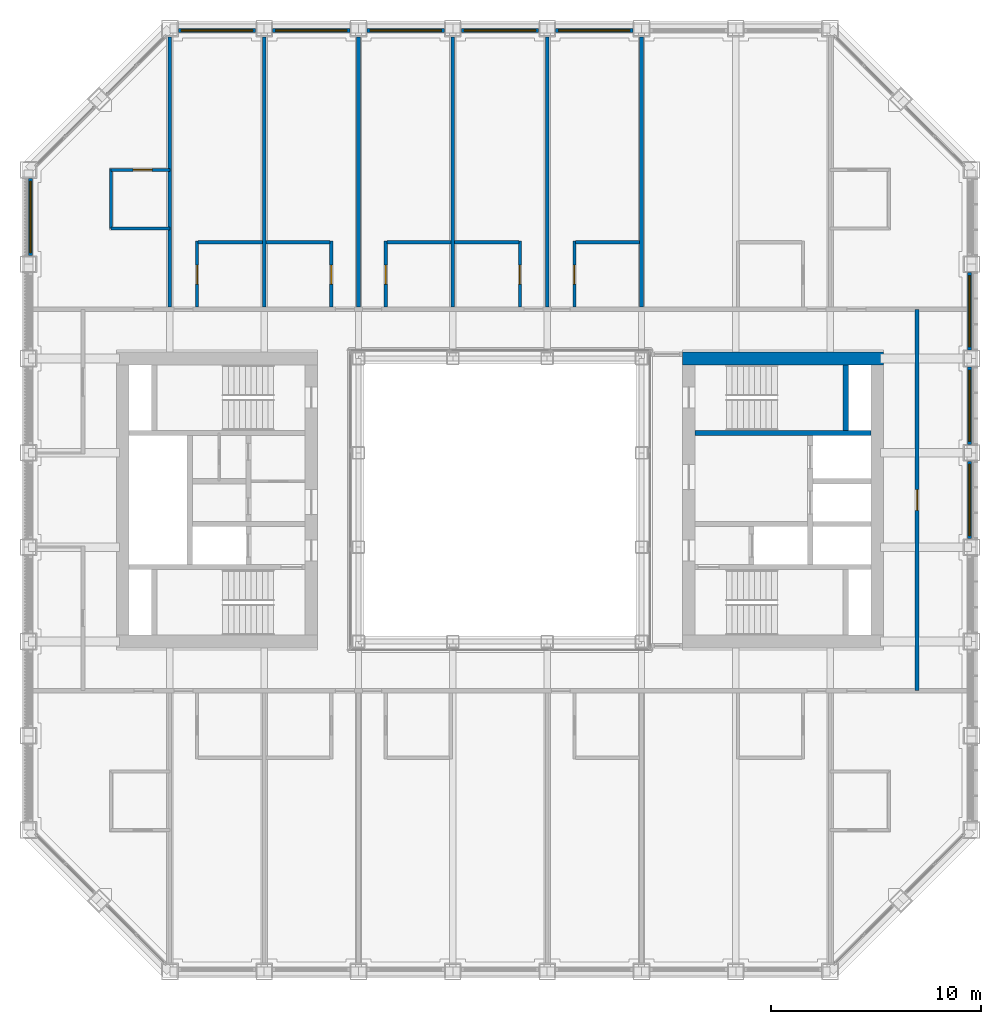
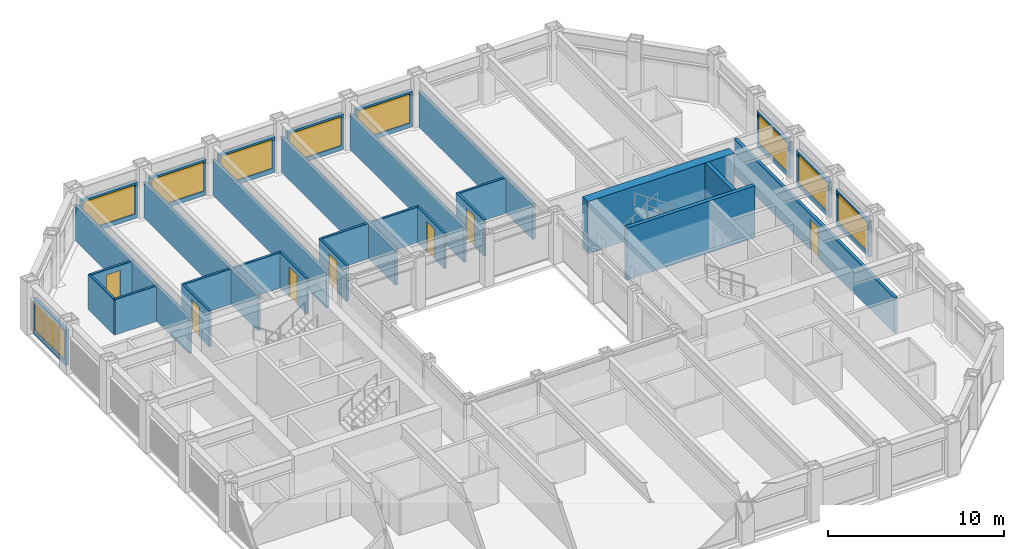
# One storey, part 13 of 17: 32 walls, 9 windows, 7 doors, 16 openings.
"""IFC4 building model written with IfcOpenShell, lengths in metres."""

from ifc_helpers import new_model, si_unit, direction, frame, frame_2d, origin, place, context, subcontext, project, spatial, rectangle, extrude, material, layer, layer_set, type_object, element, fill, save


model = new_model("IFC4")

# Units and contexts
model_context = context("Model", 3, precision=1e-05, world=origin(), true_north=direction((0.0, 1.0)))
body_context = subcontext(model_context, "Body", "Model", "MODEL_VIEW")
ifc_project = project(units=[si_unit("LENGTHUNIT", "METRE"), si_unit("AREAUNIT", "SQUARE_METRE"), si_unit("VOLUMEUNIT", "CUBIC_METRE"), si_unit("PLANEANGLEUNIT", "RADIAN"), si_unit("MASSUNIT", "GRAM", prefix="KILO")], contexts=[model_context])

# Site, building, storey
site_placement = place(None, origin())
site = spatial("IfcSite", under=ifc_project, at=site_placement, CompositionType="ELEMENT")
building_placement = place(site_placement, origin())
building = spatial("IfcBuilding", under=site, at=building_placement, Name="Msasa Ring Tower", CompositionType="ELEMENT")
storey_placement = place(building_placement, frame((0.0, 0.0, 143.60009765625)))
storey = spatial("IfcBuildingStorey", under=building, at=storey_placement, Name="L37", CompositionType="ELEMENT", Elevation=143.60009765625)

# Walls
ifc_material_1 = material(Name="Concrete C60/75", Category="concrete")
ifc_layer_1 = layer(ifc_material_1, 0.60009765625)
ifc_layer_set_1 = layer_set([ifc_layer_1], Name="CW2 CORE WALL 600")
wall_type_1 = type_object("IfcWallType", Name="CW2 CORE WALL 600", PredefinedType="SHEAR", material=ifc_layer_set_1)
wall_1_placement = place(storey_placement, frame((8.699951171875, 6.75, 0.0), z_axis=(0.0, 0.0, 1.0), x_axis=(1.0, 0.0, 0.0)))
element("IfcWall", 1, at=wall_1_placement, inside=storey, type_object=wall_type_1, Name="E core wall N L37", PredefinedType="SHEAR", context=body_context, shape_type="SweptSolid", body=[
    extrude(rectangle(XDim=9.60009765625, YDim=0.60009765625, at=frame_2d((4.800048828125, 0.0))), origin(), (0.0, 0.0, 1.0), 3.599853515625),
])
ifc_material_2 = material(Name="Concrete C60/75", Category="concrete")
ifc_layer_2 = layer(ifc_material_2, 0.25)
ifc_layer_set_2 = layer_set([ifc_layer_2], Name="CW4 CORE INNER WALL 250")
wall_type_2 = type_object("IfcWallType", Name="CW4 CORE INNER WALL 250", PredefinedType="SHEAR", material=ifc_layer_set_2)
wall_2_placement = place(storey_placement, frame((9.300048828125, 3.199951171875, 0.0), z_axis=(0.0, 0.0, 1.0), x_axis=(1.0, 0.0, 0.0)))
element("IfcWall", 2, at=wall_2_placement, inside=storey, type_object=wall_type_2, Name="E core wall STAIRB L37", PredefinedType="SHEAR", context=body_context, shape_type="SweptSolid", body=[
    extrude(rectangle(XDim=8.39990234375, YDim=0.25, at=frame_2d((4.199951171875, 0.0))), origin(), (0.0, 0.0, 1.0), 3.599853515625),
])
wall_3_placement = place(storey_placement, frame((16.5, 3.324951171875, 0.0), z_axis=(0.0, 0.0, 1.0), x_axis=(0.0, 1.0, 0.0)))
element("IfcWall", 3, at=wall_3_placement, inside=storey, type_object=wall_type_2, Name="E core wall RISERB L37", PredefinedType="SHEAR", context=body_context, shape_type="SweptSolid", body=[
    extrude(rectangle(XDim=3.125, YDim=0.25, at=frame_2d((1.5625, 0.0))), origin(), (0.0, 0.0, 1.0), 3.599853515625),
])

# Wall, opening, window
ifc_material_3 = material(Name="Terracotta rainscreen on blockwork", Category="masonry")
ifc_layer_3 = layer(ifc_material_3, 0.199951171875)
ifc_layer_set_3 = layer_set([ifc_layer_3], Name="FW1 TERRACOTTA-LINED INFILL BAY WALL 200")
wall_type_3 = type_object("IfcWallType", Name="FW1 TERRACOTTA-LINED INFILL BAY WALL 200", PredefinedType="SOLIDWALL", material=ifc_layer_set_3)
wall_4_placement = place(storey_placement, frame((22.39990234375, -1.844970703125, 0.0), z_axis=(0.0, 0.0, 1.0), x_axis=(0.0, 1.0, 0.0)))
wall_4 = element("IfcWall", 4, at=wall_4_placement, inside=storey, type_object=wall_type_3, Name="Infill bay wall E L37 12", PredefinedType="SOLIDWALL", context=body_context, shape_type="SweptSolid", body=[
    extrude(rectangle(XDim=3.68994140625, YDim=0.199951171875, at=frame_2d((1.844970703125, 0.0))), origin(), (0.0, 0.0, 1.0), 2.47900390625),
])
opening_1_placement = place(wall_4_placement, frame((0.14501953125, 0.0, 0.300048828125)))
opening_1 = element("IfcOpeningElement", 5, at=opening_1_placement, cuts=wall_4, Name="Opening WN2", PredefinedType="OPENING", context=body_context, shape_type="SweptSolid", body=[
    extrude(rectangle(XDim=3.39990234375, YDim=2.029052734375, at=frame_2d((1.699951171875, 1.0146484375))), frame((0.0, 0.10986328125, 0.0), z_axis=(0.0, -1.0, 0.0), x_axis=(1.0, 0.0, 0.0)), (0.0, 0.0, 1.0), 0.219970703125),
])
ifc_material_4 = material(Name="Aluminium frame with clear glass", Category="aluminium")
window_type = type_object("IfcWindowType", Name="WN2 GUEST ROOM WINDOW 3400x2029", PartitioningType="SINGLE_PANEL", PredefinedType="WINDOW", material=ifc_material_4)
window_1_placement = place(opening_1_placement, origin())
window_1 = element("IfcWindow", 6, at=window_1_placement, inside=storey, type_object=window_type, Name="Window E L37 12", OverallHeight=2.029052734375, OverallWidth=3.39990234375, PartitioningType="SINGLE_PANEL", PredefinedType="WINDOW", context=body_context, shape_type="SweptSolid", body=[
    extrude(rectangle(XDim=3.39990234375, YDim=2.029052734375, at=frame_2d((1.699951171875, 1.0146484375))), frame((0.0, 0.030029296875, 0.0), z_axis=(0.0, -1.0, 0.0), x_axis=(1.0, 0.0, 0.0)), (0.0, 0.0, 1.0), 0.06005859375),
])
fill(opening_1, window_1)

wall_5_placement = place(storey_placement, frame((22.39990234375, 2.655029296875, 0.0), z_axis=(0.0, 0.0, 1.0), x_axis=(0.0, 1.0, 0.0)))
wall_5 = element("IfcWall", 7, at=wall_5_placement, inside=storey, type_object=wall_type_3, Name="Infill bay wall E L37 13", PredefinedType="SOLIDWALL", context=body_context, shape_type="SweptSolid", body=[
    extrude(rectangle(XDim=3.68994140625, YDim=0.199951171875, at=frame_2d((1.844970703125, 0.0))), origin(), (0.0, 0.0, 1.0), 2.47900390625),
])
opening_2_placement = place(wall_5_placement, frame((0.14501953125, 0.0, 0.300048828125)))
opening_2 = element("IfcOpeningElement", 8, at=opening_2_placement, cuts=wall_5, Name="Opening WN2", PredefinedType="OPENING", context=body_context, shape_type="SweptSolid", body=[
    extrude(rectangle(XDim=3.39990234375, YDim=2.029052734375, at=frame_2d((1.699951171875, 1.0146484375))), frame((0.0, 0.10986328125, 0.0), z_axis=(0.0, -1.0, 0.0), x_axis=(1.0, 0.0, 0.0)), (0.0, 0.0, 1.0), 0.219970703125),
])
window_2_placement = place(opening_2_placement, origin())
window_2 = element("IfcWindow", 9, at=window_2_placement, inside=storey, type_object=window_type, Name="Window E L37 13", OverallHeight=2.029052734375, OverallWidth=3.39990234375, PartitioningType="SINGLE_PANEL", PredefinedType="WINDOW", context=body_context, shape_type="SweptSolid", body=[
    extrude(rectangle(XDim=3.39990234375, YDim=2.029052734375, at=frame_2d((1.699951171875, 1.0146484375))), frame((0.0, 0.030029296875, 0.0), z_axis=(0.0, -1.0, 0.0), x_axis=(1.0, 0.0, 0.0)), (0.0, 0.0, 1.0), 0.06005859375),
])
fill(opening_2, window_2)

wall_6_placement = place(storey_placement, frame((22.39990234375, 7.155029296875, 0.0), z_axis=(0.0, 0.0, 1.0), x_axis=(0.0, 1.0, 0.0)))
wall_6 = element("IfcWall", 10, at=wall_6_placement, inside=storey, type_object=wall_type_3, Name="Infill bay wall E L37 14", PredefinedType="SOLIDWALL", context=body_context, shape_type="SweptSolid", body=[
    extrude(rectangle(XDim=3.68994140625, YDim=0.199951171875, at=frame_2d((1.844970703125, 0.0))), origin(), (0.0, 0.0, 1.0), 2.47900390625),
])
opening_3_placement = place(wall_6_placement, frame((0.14501953125, 0.0, 0.300048828125)))
opening_3 = element("IfcOpeningElement", 11, at=opening_3_placement, cuts=wall_6, Name="Opening WN2", PredefinedType="OPENING", context=body_context, shape_type="SweptSolid", body=[
    extrude(rectangle(XDim=3.39990234375, YDim=2.029052734375, at=frame_2d((1.699951171875, 1.0146484375))), frame((0.0, 0.10986328125, 0.0), z_axis=(0.0, -1.0, 0.0), x_axis=(1.0, 0.0, 0.0)), (0.0, 0.0, 1.0), 0.219970703125),
])
window_3_placement = place(opening_3_placement, origin())
window_3 = element("IfcWindow", 12, at=window_3_placement, inside=storey, type_object=window_type, Name="Window E L37 14", OverallHeight=2.029052734375, OverallWidth=3.39990234375, PartitioningType="SINGLE_PANEL", PredefinedType="WINDOW", context=body_context, shape_type="SweptSolid", body=[
    extrude(rectangle(XDim=3.39990234375, YDim=2.029052734375, at=frame_2d((1.699951171875, 1.0146484375))), frame((0.0, 0.030029296875, 0.0), z_axis=(0.0, -1.0, 0.0), x_axis=(1.0, 0.0, 0.0)), (0.0, 0.0, 1.0), 0.06005859375),
])
fill(opening_3, window_3)

wall_7_placement = place(storey_placement, frame((-15.344970703125, 22.39990234375, 0.0), z_axis=(0.0, 0.0, 1.0), x_axis=(1.0, 0.0, 0.0)))
wall_7 = element("IfcWall", 13, at=wall_7_placement, inside=storey, type_object=wall_type_3, Name="Infill bay wall N L37 18", PredefinedType="SOLIDWALL", context=body_context, shape_type="SweptSolid", body=[
    extrude(rectangle(XDim=3.68994140625, YDim=0.199951171875, at=frame_2d((1.844970703125, 0.0))), origin(), (0.0, 0.0, 1.0), 2.47900390625),
])
opening_4_placement = place(wall_7_placement, frame((0.14501953125, 0.0, 0.300048828125)))
opening_4 = element("IfcOpeningElement", 14, at=opening_4_placement, cuts=wall_7, Name="Opening WN2", PredefinedType="OPENING", context=body_context, shape_type="SweptSolid", body=[
    extrude(rectangle(XDim=3.39990234375, YDim=2.029052734375, at=frame_2d((1.699951171875, 1.0146484375))), frame((0.0, 0.10986328125, 0.0), z_axis=(0.0, -1.0, 0.0), x_axis=(1.0, 0.0, 0.0)), (0.0, 0.0, 1.0), 0.219970703125),
])
window_4_placement = place(opening_4_placement, origin())
window_4 = element("IfcWindow", 15, at=window_4_placement, inside=storey, type_object=window_type, Name="Window N L37 18", OverallHeight=2.029052734375, OverallWidth=3.39990234375, PartitioningType="SINGLE_PANEL", PredefinedType="WINDOW", context=body_context, shape_type="SweptSolid", body=[
    extrude(rectangle(XDim=3.39990234375, YDim=2.029052734375, at=frame_2d((1.699951171875, 1.0146484375))), frame((0.0, 0.030029296875, 0.0), z_axis=(0.0, -1.0, 0.0), x_axis=(1.0, 0.0, 0.0)), (0.0, 0.0, 1.0), 0.06005859375),
])
fill(opening_4, window_4)

wall_8_placement = place(storey_placement, frame((-10.844970703125, 22.39990234375, 0.0), z_axis=(0.0, 0.0, 1.0), x_axis=(1.0, 0.0, 0.0)))
wall_8 = element("IfcWall", 16, at=wall_8_placement, inside=storey, type_object=wall_type_3, Name="Infill bay wall N L37 19", PredefinedType="SOLIDWALL", context=body_context, shape_type="SweptSolid", body=[
    extrude(rectangle(XDim=3.68994140625, YDim=0.199951171875, at=frame_2d((1.844970703125, 0.0))), origin(), (0.0, 0.0, 1.0), 2.47900390625),
])
opening_5_placement = place(wall_8_placement, frame((0.14501953125, 0.0, 0.300048828125)))
opening_5 = element("IfcOpeningElement", 17, at=opening_5_placement, cuts=wall_8, Name="Opening WN2", PredefinedType="OPENING", context=body_context, shape_type="SweptSolid", body=[
    extrude(rectangle(XDim=3.39990234375, YDim=2.029052734375, at=frame_2d((1.699951171875, 1.0146484375))), frame((0.0, 0.10986328125, 0.0), z_axis=(0.0, -1.0, 0.0), x_axis=(1.0, 0.0, 0.0)), (0.0, 0.0, 1.0), 0.219970703125),
])
window_5_placement = place(opening_5_placement, origin())
window_5 = element("IfcWindow", 18, at=window_5_placement, inside=storey, type_object=window_type, Name="Window N L37 19", OverallHeight=2.029052734375, OverallWidth=3.39990234375, PartitioningType="SINGLE_PANEL", PredefinedType="WINDOW", context=body_context, shape_type="SweptSolid", body=[
    extrude(rectangle(XDim=3.39990234375, YDim=2.029052734375, at=frame_2d((1.699951171875, 1.0146484375))), frame((0.0, 0.030029296875, 0.0), z_axis=(0.0, -1.0, 0.0), x_axis=(1.0, 0.0, 0.0)), (0.0, 0.0, 1.0), 0.06005859375),
])
fill(opening_5, window_5)

wall_9_placement = place(storey_placement, frame((-6.344970703125, 22.39990234375, 0.0), z_axis=(0.0, 0.0, 1.0), x_axis=(1.0, 0.0, 0.0)))
wall_9 = element("IfcWall", 19, at=wall_9_placement, inside=storey, type_object=wall_type_3, Name="Infill bay wall N L37 20", PredefinedType="SOLIDWALL", context=body_context, shape_type="SweptSolid", body=[
    extrude(rectangle(XDim=3.68994140625, YDim=0.199951171875, at=frame_2d((1.844970703125, 0.0))), origin(), (0.0, 0.0, 1.0), 2.47900390625),
])
opening_6_placement = place(wall_9_placement, frame((0.14501953125, 0.0, 0.300048828125)))
opening_6 = element("IfcOpeningElement", 20, at=opening_6_placement, cuts=wall_9, Name="Opening WN2", PredefinedType="OPENING", context=body_context, shape_type="SweptSolid", body=[
    extrude(rectangle(XDim=3.39990234375, YDim=2.029052734375, at=frame_2d((1.699951171875, 1.0146484375))), frame((0.0, 0.10986328125, 0.0), z_axis=(0.0, -1.0, 0.0), x_axis=(1.0, 0.0, 0.0)), (0.0, 0.0, 1.0), 0.219970703125),
])
window_6_placement = place(opening_6_placement, origin())
window_6 = element("IfcWindow", 21, at=window_6_placement, inside=storey, type_object=window_type, Name="Window N L37 20", OverallHeight=2.029052734375, OverallWidth=3.39990234375, PartitioningType="SINGLE_PANEL", PredefinedType="WINDOW", context=body_context, shape_type="SweptSolid", body=[
    extrude(rectangle(XDim=3.39990234375, YDim=2.029052734375, at=frame_2d((1.699951171875, 1.0146484375))), frame((0.0, 0.030029296875, 0.0), z_axis=(0.0, -1.0, 0.0), x_axis=(1.0, 0.0, 0.0)), (0.0, 0.0, 1.0), 0.06005859375),
])
fill(opening_6, window_6)

wall_10_placement = place(storey_placement, frame((-1.844970703125, 22.39990234375, 0.0), z_axis=(0.0, 0.0, 1.0), x_axis=(1.0, 0.0, 0.0)))
wall_10 = element("IfcWall", 22, at=wall_10_placement, inside=storey, type_object=wall_type_3, Name="Infill bay wall N L37 21", PredefinedType="SOLIDWALL", context=body_context, shape_type="SweptSolid", body=[
    extrude(rectangle(XDim=3.68994140625, YDim=0.199951171875, at=frame_2d((1.844970703125, 0.0))), origin(), (0.0, 0.0, 1.0), 2.47900390625),
])
opening_7_placement = place(wall_10_placement, frame((0.14501953125, 0.0, 0.300048828125)))
opening_7 = element("IfcOpeningElement", 23, at=opening_7_placement, cuts=wall_10, Name="Opening WN2", PredefinedType="OPENING", context=body_context, shape_type="SweptSolid", body=[
    extrude(rectangle(XDim=3.39990234375, YDim=2.029052734375, at=frame_2d((1.699951171875, 1.0146484375))), frame((0.0, 0.10986328125, 0.0), z_axis=(0.0, -1.0, 0.0), x_axis=(1.0, 0.0, 0.0)), (0.0, 0.0, 1.0), 0.219970703125),
])
window_7_placement = place(opening_7_placement, origin())
window_7 = element("IfcWindow", 24, at=window_7_placement, inside=storey, type_object=window_type, Name="Window N L37 21", OverallHeight=2.029052734375, OverallWidth=3.39990234375, PartitioningType="SINGLE_PANEL", PredefinedType="WINDOW", context=body_context, shape_type="SweptSolid", body=[
    extrude(rectangle(XDim=3.39990234375, YDim=2.029052734375, at=frame_2d((1.699951171875, 1.0146484375))), frame((0.0, 0.030029296875, 0.0), z_axis=(0.0, -1.0, 0.0), x_axis=(1.0, 0.0, 0.0)), (0.0, 0.0, 1.0), 0.06005859375),
])
fill(opening_7, window_7)

wall_11_placement = place(storey_placement, frame((2.655029296875, 22.39990234375, 0.0), z_axis=(0.0, 0.0, 1.0), x_axis=(1.0, 0.0, 0.0)))
wall_11 = element("IfcWall", 25, at=wall_11_placement, inside=storey, type_object=wall_type_3, Name="Infill bay wall N L37 22", PredefinedType="SOLIDWALL", context=body_context, shape_type="SweptSolid", body=[
    extrude(rectangle(XDim=3.68994140625, YDim=0.199951171875, at=frame_2d((1.844970703125, 0.0))), origin(), (0.0, 0.0, 1.0), 2.47900390625),
])
opening_8_placement = place(wall_11_placement, frame((0.14501953125, 0.0, 0.300048828125)))
opening_8 = element("IfcOpeningElement", 26, at=opening_8_placement, cuts=wall_11, Name="Opening WN2", PredefinedType="OPENING", context=body_context, shape_type="SweptSolid", body=[
    extrude(rectangle(XDim=3.39990234375, YDim=2.029052734375, at=frame_2d((1.699951171875, 1.0146484375))), frame((0.0, 0.10986328125, 0.0), z_axis=(0.0, -1.0, 0.0), x_axis=(1.0, 0.0, 0.0)), (0.0, 0.0, 1.0), 0.219970703125),
])
window_8_placement = place(opening_8_placement, origin())
window_8 = element("IfcWindow", 27, at=window_8_placement, inside=storey, type_object=window_type, Name="Window N L37 22", OverallHeight=2.029052734375, OverallWidth=3.39990234375, PartitioningType="SINGLE_PANEL", PredefinedType="WINDOW", context=body_context, shape_type="SweptSolid", body=[
    extrude(rectangle(XDim=3.39990234375, YDim=2.029052734375, at=frame_2d((1.699951171875, 1.0146484375))), frame((0.0, 0.030029296875, 0.0), z_axis=(0.0, -1.0, 0.0), x_axis=(1.0, 0.0, 0.0)), (0.0, 0.0, 1.0), 0.06005859375),
])
fill(opening_8, window_8)

wall_12_placement = place(storey_placement, frame((-22.39990234375, 11.655029296875, 0.0), z_axis=(0.0, 0.0, 1.0), x_axis=(0.0, 1.0, 0.0)))
wall_12 = element("IfcWall", 28, at=wall_12_placement, inside=storey, type_object=wall_type_3, Name="Infill bay wall W L37 33", PredefinedType="SOLIDWALL", context=body_context, shape_type="SweptSolid", body=[
    extrude(rectangle(XDim=3.68994140625, YDim=0.199951171875, at=frame_2d((1.844970703125, 0.0))), origin(), (0.0, 0.0, 1.0), 2.47900390625),
])
opening_9_placement = place(wall_12_placement, frame((0.14501953125, 0.0, 0.300048828125)))
opening_9 = element("IfcOpeningElement", 29, at=opening_9_placement, cuts=wall_12, Name="Opening WN2", PredefinedType="OPENING", context=body_context, shape_type="SweptSolid", body=[
    extrude(rectangle(XDim=3.39990234375, YDim=2.029052734375, at=frame_2d((1.699951171875, 1.0146484375))), frame((0.0, 0.10986328125, 0.0), z_axis=(0.0, -1.0, 0.0), x_axis=(1.0, 0.0, 0.0)), (0.0, 0.0, 1.0), 0.219970703125),
])
window_9_placement = place(opening_9_placement, origin())
window_9 = element("IfcWindow", 30, at=window_9_placement, inside=storey, type_object=window_type, Name="Window W L37 33", OverallHeight=2.029052734375, OverallWidth=3.39990234375, PartitioningType="SINGLE_PANEL", PredefinedType="WINDOW", context=body_context, shape_type="SweptSolid", body=[
    extrude(rectangle(XDim=3.39990234375, YDim=2.029052734375, at=frame_2d((1.699951171875, 1.0146484375))), frame((0.0, 0.030029296875, 0.0), z_axis=(0.0, -1.0, 0.0), x_axis=(1.0, 0.0, 0.0)), (0.0, 0.0, 1.0), 0.06005859375),
])
fill(opening_9, window_9)

# Wall, opening, door
ifc_material_5 = material(Name="Concrete blockwork", Category="masonry")
ifc_layer_4 = layer(ifc_material_5, 0.199951171875)
ifc_layer_set_4 = layer_set([ifc_layer_4], Name="PT1 CORRIDOR WALL 200")
wall_type_4 = type_object("IfcWallType", Name="PT1 CORRIDOR WALL 200", PredefinedType="PARTITIONING", material=ifc_layer_set_4)
wall_13_placement = place(storey_placement, frame((19.89990234375, -9.10009765625, 0.0), z_axis=(0.0, 0.0, 1.0), x_axis=(0.0, 1.0, 0.0)))
wall_13 = element("IfcWall", 31, at=wall_13_placement, inside=storey, type_object=wall_type_4, Name="Corridor wall L37-STRE", PredefinedType="PARTITIONING", context=body_context, shape_type="SweptSolid", body=[
    extrude(rectangle(XDim=18.2001953125, YDim=0.199951171875, at=frame_2d((9.10009765625, 0.0))), origin(), (0.0, 0.0, 1.0), 2.473388671875),
])
opening_10_placement = place(wall_13_placement, frame((8.60009765625, 0.0, 0.0)))
opening_10 = element("IfcOpeningElement", 32, at=opening_10_placement, cuts=wall_13, Name="Opening HC-025", PredefinedType="OPENING", context=body_context, shape_type="SweptSolid", body=[
    extrude(rectangle(XDim=1.0, YDim=2.10009765625, at=frame_2d((0.5, 1.050048828125))), frame((0.0, 0.10986328125, 0.0), z_axis=(0.0, -1.0, 0.0), x_axis=(1.0, 0.0, 0.0)), (0.0, 0.0, 1.0), 0.219970703125),
])
ifc_material_6 = material(Name="Timber door leaf in a steel frame", Category="steel")
door_type_1 = type_object("IfcDoorType", Name="D10 STORE DOOR 1000x2100", OperationType="SINGLE_SWING_LEFT", PredefinedType="DOOR", material=ifc_material_6)
door_1_placement = place(opening_10_placement, origin())
door_1 = element("IfcDoor", 33, at=door_1_placement, inside=storey, type_object=door_type_1, Name="Door L37-LGE", OperationType="SINGLE_SWING_LEFT", OverallHeight=2.10009765625, OverallWidth=1.0, PredefinedType="DOOR", context=body_context, shape_type="SweptSolid", body=[
    extrude(rectangle(XDim=1.0, YDim=2.10009765625, at=frame_2d((0.5, 1.050048828125))), frame((0.0, 0.02490234375, 0.0), z_axis=(0.0, -1.0, 0.0), x_axis=(1.0, 0.0, 0.0)), (0.0, 0.0, 1.0), 0.050048828125),
])
fill(opening_10, door_1)

ifc_material_7 = material(Name="Moisture-resistant board on steel studs with a concealed cistern and pipe void, tiled", Category="steel")
ifc_layer_5 = layer(ifc_material_7, 0.14990234375)
ifc_layer_set_5 = layer_set([ifc_layer_5], Name="PT4 BATHROOM WET WALL 150")
wall_type_5 = type_object("IfcWallType", Name="PT4 BATHROOM WET WALL 150", PredefinedType="PARTITIONING", material=ifc_layer_set_5)
wall_14_placement = place(storey_placement, frame((-14.449951171875, 9.199951171875, 0.0), z_axis=(0.0, 0.0, 1.0), x_axis=(0.0, 1.0, 0.0)))
wall_14 = element("IfcWall", 34, at=wall_14_placement, inside=storey, type_object=wall_type_5, Name="Partition L37-GN00BX", PredefinedType="PARTITIONING", context=body_context, shape_type="SweptSolid", body=[
    extrude(rectangle(XDim=3.150146484375, YDim=0.14990234375, at=frame_2d((1.5751953125, 0.0))), origin(), (0.0, 0.0, 1.0), 2.473388671875),
])
opening_11_placement = place(wall_14_placement, frame((1.10009765625, 0.0, 0.0)))
opening_11 = element("IfcOpeningElement", 35, at=opening_11_placement, cuts=wall_14, Name="Opening HC-003", PredefinedType="OPENING", context=body_context, shape_type="SweptSolid", body=[
    extrude(rectangle(XDim=0.89990234375, YDim=2.10009765625, at=frame_2d((0.449951171875, 1.050048828125))), frame((0.0, 0.0849609375, 0.0), z_axis=(0.0, -1.0, 0.0), x_axis=(1.0, 0.0, 0.0)), (0.0, 0.0, 1.0), 0.169921875),
])
ifc_material_8 = material(Name="Timber door leaf in a steel frame", Category="steel")
door_type_2 = type_object("IfcDoorType", Name="D3 BATHROOM DOOR 900x2100", OperationType="SINGLE_SWING_LEFT", PredefinedType="DOOR", material=ifc_material_8)
door_2_placement = place(opening_11_placement, origin())
door_2 = element("IfcDoor", 36, at=door_2_placement, inside=storey, type_object=door_type_2, Name="Door L37-GN00B", OperationType="SINGLE_SWING_LEFT", OverallHeight=2.10009765625, OverallWidth=0.89990234375, PredefinedType="DOOR", context=body_context, shape_type="SweptSolid", body=[
    extrude(rectangle(XDim=0.89990234375, YDim=2.10009765625, at=frame_2d((0.449951171875, 1.050048828125))), frame((0.0, 0.02490234375, 0.0), z_axis=(0.0, -1.0, 0.0), x_axis=(1.0, 0.0, 0.0)), (0.0, 0.0, 1.0), 0.050048828125),
])
fill(opening_11, door_2)

# Wall
wall_15_placement = place(storey_placement, frame((-14.39990234375, 12.300048828125, 0.0), z_axis=(0.0, 0.0, 1.0), x_axis=(1.0, 0.0, 0.0)))
element("IfcWall", 37, at=wall_15_placement, inside=storey, type_object=wall_type_5, Name="Partition L37-GN00BY", PredefinedType="PARTITIONING", context=body_context, shape_type="SweptSolid", body=[
    extrude(rectangle(XDim=3.0625, YDim=0.14990234375, at=frame_2d((1.53125, 0.0))), origin(), (0.0, 0.0, 1.0), 2.473388671875),
])

# Wall, opening, door
wall_16_placement = place(storey_placement, frame((-8.050048828125, 9.199951171875, 0.0), z_axis=(0.0, 0.0, 1.0), x_axis=(0.0, 1.0, 0.0)))
wall_16 = element("IfcWall", 38, at=wall_16_placement, inside=storey, type_object=wall_type_5, Name="Partition L37-GN01BX", PredefinedType="PARTITIONING", context=body_context, shape_type="SweptSolid", body=[
    extrude(rectangle(XDim=3.150146484375, YDim=0.14990234375, at=frame_2d((1.5751953125, 0.0))), origin(), (0.0, 0.0, 1.0), 2.473388671875),
])
opening_12_placement = place(wall_16_placement, frame((1.10009765625, 0.0, 0.0)))
opening_12 = element("IfcOpeningElement", 39, at=opening_12_placement, cuts=wall_16, Name="Opening HC-004", PredefinedType="OPENING", context=body_context, shape_type="SweptSolid", body=[
    extrude(rectangle(XDim=0.89990234375, YDim=2.10009765625, at=frame_2d((0.449951171875, 1.050048828125))), frame((0.0, 0.0849609375, 0.0), z_axis=(0.0, -1.0, 0.0), x_axis=(1.0, 0.0, 0.0)), (0.0, 0.0, 1.0), 0.169921875),
])
door_3_placement = place(opening_12_placement, origin())
door_3 = element("IfcDoor", 40, at=door_3_placement, inside=storey, type_object=door_type_2, Name="Door L37-GN01B", OperationType="SINGLE_SWING_LEFT", OverallHeight=2.10009765625, OverallWidth=0.89990234375, PredefinedType="DOOR", context=body_context, shape_type="SweptSolid", body=[
    extrude(rectangle(XDim=0.89990234375, YDim=2.10009765625, at=frame_2d((0.449951171875, 1.050048828125))), frame((0.0, 0.02490234375, 0.0), z_axis=(0.0, -1.0, 0.0), x_axis=(1.0, 0.0, 0.0)), (0.0, 0.0, 1.0), 0.050048828125),
])
fill(opening_12, door_3)

# Wall
wall_17_placement = place(storey_placement, frame((-11.16259765625, 12.300048828125, 0.0), z_axis=(0.0, 0.0, 1.0), x_axis=(1.0, 0.0, 0.0)))
element("IfcWall", 41, at=wall_17_placement, inside=storey, type_object=wall_type_5, Name="Partition L37-GN01BY", PredefinedType="PARTITIONING", context=body_context, shape_type="SweptSolid", body=[
    extrude(rectangle(XDim=3.0625, YDim=0.14990234375, at=frame_2d((1.53125, 0.0))), origin(), (0.0, 0.0, 1.0), 2.473388671875),
])

# Wall, opening, door
wall_18_placement = place(storey_placement, frame((-5.449951171875, 9.199951171875, 0.0), z_axis=(0.0, 0.0, 1.0), x_axis=(0.0, 1.0, 0.0)))
wall_18 = element("IfcWall", 42, at=wall_18_placement, inside=storey, type_object=wall_type_5, Name="Partition L37-GN02BX", PredefinedType="PARTITIONING", context=body_context, shape_type="SweptSolid", body=[
    extrude(rectangle(XDim=3.150146484375, YDim=0.14990234375, at=frame_2d((1.5751953125, 0.0))), origin(), (0.0, 0.0, 1.0), 2.473388671875),
])
opening_13_placement = place(wall_18_placement, frame((1.10009765625, 0.0, 0.0)))
opening_13 = element("IfcOpeningElement", 43, at=opening_13_placement, cuts=wall_18, Name="Opening HC-005", PredefinedType="OPENING", context=body_context, shape_type="SweptSolid", body=[
    extrude(rectangle(XDim=0.89990234375, YDim=2.10009765625, at=frame_2d((0.449951171875, 1.050048828125))), frame((0.0, 0.0849609375, 0.0), z_axis=(0.0, -1.0, 0.0), x_axis=(1.0, 0.0, 0.0)), (0.0, 0.0, 1.0), 0.169921875),
])
door_4_placement = place(opening_13_placement, origin())
door_4 = element("IfcDoor", 44, at=door_4_placement, inside=storey, type_object=door_type_2, Name="Door L37-GN02B", OperationType="SINGLE_SWING_LEFT", OverallHeight=2.10009765625, OverallWidth=0.89990234375, PredefinedType="DOOR", context=body_context, shape_type="SweptSolid", body=[
    extrude(rectangle(XDim=0.89990234375, YDim=2.10009765625, at=frame_2d((0.449951171875, 1.050048828125))), frame((0.0, 0.02490234375, 0.0), z_axis=(0.0, -1.0, 0.0), x_axis=(1.0, 0.0, 0.0)), (0.0, 0.0, 1.0), 0.050048828125),
])
fill(opening_13, door_4)

# Wall
wall_19_placement = place(storey_placement, frame((-5.39990234375, 12.300048828125, 0.0), z_axis=(0.0, 0.0, 1.0), x_axis=(1.0, 0.0, 0.0)))
element("IfcWall", 45, at=wall_19_placement, inside=storey, type_object=wall_type_5, Name="Partition L37-GN02BY", PredefinedType="PARTITIONING", context=body_context, shape_type="SweptSolid", body=[
    extrude(rectangle(XDim=3.0625, YDim=0.14990234375, at=frame_2d((1.53125, 0.0))), origin(), (0.0, 0.0, 1.0), 2.473388671875),
])

# Wall, opening, door
wall_20_placement = place(storey_placement, frame((0.949951171875, 9.199951171875, 0.0), z_axis=(0.0, 0.0, 1.0), x_axis=(0.0, 1.0, 0.0)))
wall_20 = element("IfcWall", 46, at=wall_20_placement, inside=storey, type_object=wall_type_5, Name="Partition L37-GN03BX", PredefinedType="PARTITIONING", context=body_context, shape_type="SweptSolid", body=[
    extrude(rectangle(XDim=3.150146484375, YDim=0.14990234375, at=frame_2d((1.5751953125, 0.0))), origin(), (0.0, 0.0, 1.0), 2.473388671875),
])
opening_14_placement = place(wall_20_placement, frame((1.10009765625, 0.0, 0.0)))
opening_14 = element("IfcOpeningElement", 47, at=opening_14_placement, cuts=wall_20, Name="Opening HC-006", PredefinedType="OPENING", context=body_context, shape_type="SweptSolid", body=[
    extrude(rectangle(XDim=0.89990234375, YDim=2.10009765625, at=frame_2d((0.449951171875, 1.050048828125))), frame((0.0, 0.0849609375, 0.0), z_axis=(0.0, -1.0, 0.0), x_axis=(1.0, 0.0, 0.0)), (0.0, 0.0, 1.0), 0.169921875),
])
door_5_placement = place(opening_14_placement, origin())
door_5 = element("IfcDoor", 48, at=door_5_placement, inside=storey, type_object=door_type_2, Name="Door L37-GN03B", OperationType="SINGLE_SWING_LEFT", OverallHeight=2.10009765625, OverallWidth=0.89990234375, PredefinedType="DOOR", context=body_context, shape_type="SweptSolid", body=[
    extrude(rectangle(XDim=0.89990234375, YDim=2.10009765625, at=frame_2d((0.449951171875, 1.050048828125))), frame((0.0, 0.02490234375, 0.0), z_axis=(0.0, -1.0, 0.0), x_axis=(1.0, 0.0, 0.0)), (0.0, 0.0, 1.0), 0.050048828125),
])
fill(opening_14, door_5)

# Wall
wall_21_placement = place(storey_placement, frame((-2.16259765625, 12.300048828125, 0.0), z_axis=(0.0, 0.0, 1.0), x_axis=(1.0, 0.0, 0.0)))
element("IfcWall", 49, at=wall_21_placement, inside=storey, type_object=wall_type_5, Name="Partition L37-GN03BY", PredefinedType="PARTITIONING", context=body_context, shape_type="SweptSolid", body=[
    extrude(rectangle(XDim=3.0625, YDim=0.14990234375, at=frame_2d((1.53125, 0.0))), origin(), (0.0, 0.0, 1.0), 2.473388671875),
])

# Wall, opening, door
wall_22_placement = place(storey_placement, frame((3.550048828125, 9.199951171875, 0.0), z_axis=(0.0, 0.0, 1.0), x_axis=(0.0, 1.0, 0.0)))
wall_22 = element("IfcWall", 50, at=wall_22_placement, inside=storey, type_object=wall_type_5, Name="Partition L37-GN04BX", PredefinedType="PARTITIONING", context=body_context, shape_type="SweptSolid", body=[
    extrude(rectangle(XDim=3.150146484375, YDim=0.14990234375, at=frame_2d((1.5751953125, 0.0))), origin(), (0.0, 0.0, 1.0), 2.473388671875),
])
opening_15_placement = place(wall_22_placement, frame((1.10009765625, 0.0, 0.0)))
opening_15 = element("IfcOpeningElement", 51, at=opening_15_placement, cuts=wall_22, Name="Opening HC-007", PredefinedType="OPENING", context=body_context, shape_type="SweptSolid", body=[
    extrude(rectangle(XDim=0.89990234375, YDim=2.10009765625, at=frame_2d((0.449951171875, 1.050048828125))), frame((0.0, 0.0849609375, 0.0), z_axis=(0.0, -1.0, 0.0), x_axis=(1.0, 0.0, 0.0)), (0.0, 0.0, 1.0), 0.169921875),
])
door_6_placement = place(opening_15_placement, origin())
door_6 = element("IfcDoor", 52, at=door_6_placement, inside=storey, type_object=door_type_2, Name="Door L37-GN04B", OperationType="SINGLE_SWING_LEFT", OverallHeight=2.10009765625, OverallWidth=0.89990234375, PredefinedType="DOOR", context=body_context, shape_type="SweptSolid", body=[
    extrude(rectangle(XDim=0.89990234375, YDim=2.10009765625, at=frame_2d((0.449951171875, 1.050048828125))), frame((0.0, 0.02490234375, 0.0), z_axis=(0.0, -1.0, 0.0), x_axis=(1.0, 0.0, 0.0)), (0.0, 0.0, 1.0), 0.050048828125),
])
fill(opening_15, door_6)

# Walls
wall_23_placement = place(storey_placement, frame((3.60009765625, 12.300048828125, 0.0), z_axis=(0.0, 0.0, 1.0), x_axis=(1.0, 0.0, 0.0)))
element("IfcWall", 53, at=wall_23_placement, inside=storey, type_object=wall_type_5, Name="Partition L37-GN04BY", PredefinedType="PARTITIONING", context=body_context, shape_type="SweptSolid", body=[
    extrude(rectangle(XDim=3.0625, YDim=0.14990234375, at=frame_2d((1.53125, 0.0))), origin(), (0.0, 0.0, 1.0), 2.473388671875),
])
wall_24_placement = place(storey_placement, frame((-18.550048828125, 12.949951171875, 0.0), z_axis=(0.0, 0.0, 1.0), x_axis=(0.0, 1.0, 0.0)))
element("IfcWall", 54, at=wall_24_placement, inside=storey, type_object=wall_type_5, Name="Partition L37-CSNWBX", PredefinedType="PARTITIONING", context=body_context, shape_type="SweptSolid", body=[
    extrude(rectangle(XDim=2.875, YDim=0.14990234375, at=frame_2d((1.4375, 0.0))), origin(), (0.0, 0.0, 1.0), 2.473388671875),
])
wall_25_placement = place(storey_placement, frame((-18.550048828125, 12.949951171875, 0.0), z_axis=(0.0, 0.0, 1.0), x_axis=(1.0, 0.0, 0.0)))
element("IfcWall", 55, at=wall_25_placement, inside=storey, type_object=wall_type_5, Name="Partition L37-CSNWBY", PredefinedType="PARTITIONING", context=body_context, shape_type="SweptSolid", body=[
    extrude(rectangle(XDim=2.800048828125, YDim=0.14990234375, at=frame_2d((1.39990234375, 0.0))), origin(), (0.0, 0.0, 1.0), 2.473388671875),
])

# Wall, opening, door
wall_26_placement = place(storey_placement, frame((-18.550048828125, 15.75, 0.0), z_axis=(0.0, 0.0, 1.0), x_axis=(1.0, 0.0, 0.0)))
wall_26 = element("IfcWall", 56, at=wall_26_placement, inside=storey, type_object=wall_type_5, Name="Partition L37-CSNWBZ", PredefinedType="PARTITIONING", context=body_context, shape_type="SweptSolid", body=[
    extrude(rectangle(XDim=2.800048828125, YDim=0.14990234375, at=frame_2d((1.39990234375, 0.0))), origin(), (0.0, 0.0, 1.0), 2.473388671875),
])
opening_16_placement = place(wall_26_placement, frame((1.050048828125, 0.0, 0.0)))
opening_16 = element("IfcOpeningElement", 57, at=opening_16_placement, cuts=wall_26, Name="Opening HC-001", PredefinedType="OPENING", context=body_context, shape_type="SweptSolid", body=[
    extrude(rectangle(XDim=0.89990234375, YDim=2.10009765625, at=frame_2d((0.449951171875, 1.050048828125))), frame((0.0, 0.0849609375, 0.0), z_axis=(0.0, -1.0, 0.0), x_axis=(1.0, 0.0, 0.0)), (0.0, 0.0, 1.0), 0.169921875),
])
door_7_placement = place(opening_16_placement, origin())
door_7 = element("IfcDoor", 58, at=door_7_placement, inside=storey, type_object=door_type_2, Name="Door L37-CSNWB1", OperationType="SINGLE_SWING_RIGHT", OverallHeight=2.10009765625, OverallWidth=0.89990234375, PredefinedType="DOOR", context=body_context, shape_type="SweptSolid", body=[
    extrude(rectangle(XDim=0.89990234375, YDim=2.10009765625, at=frame_2d((0.449951171875, 1.050048828125))), frame((0.0, 0.02490234375, 0.0), z_axis=(0.0, -1.0, 0.0), x_axis=(1.0, 0.0, 0.0)), (0.0, 0.0, 1.0), 0.050048828125),
])
fill(opening_16, door_7)

# Walls
ifc_material_9 = material(Name="Twin steel studs, two layers of acoustic board each face, mineral wool", Category="steel")
ifc_layer_6 = layer(ifc_material_9, 0.175048828125)
ifc_layer_set_6 = layer_set([ifc_layer_6], Name="PT5 GUEST ROOM SEPARATING WALL 175")
wall_type_6 = type_object("IfcWallType", Name="PT5 GUEST ROOM SEPARATING WALL 175", PredefinedType="PARTITIONING", material=ifc_layer_set_6)
for number, where, z_axis, x_axis, name in (
    (59, (-15.75, 9.199951171875, 0.0), (0.0, 0.0, 1.0), (0.0, 1.0, 0.0), "Partition L37-PWN-15.75"),
    (60, (-11.25, 9.199951171875, 0.0), (0.0, 0.0, 1.0), (0.0, 1.0, 0.0), "Partition L37-PWN-11.25"),
    (61, (-6.75, 9.199951171875, 0.0), (0.0, 0.0, 1.0), (0.0, 1.0, 0.0), "Partition L37-PWN-6.75"),
    (62, (-2.25, 9.199951171875, 0.0), (0.0, 0.0, 1.0), (0.0, 1.0, 0.0), "Partition L37-PWN-2.25"),
    (63, (2.25, 9.199951171875, 0.0), (0.0, 0.0, 1.0), (0.0, 1.0, 0.0), "Partition L37-PWN+2.25"),
    (64, (6.75, 9.199951171875, 0.0), (0.0, 0.0, 1.0), (0.0, 1.0, 0.0), "Partition L37-PWN+6.75"),
):
    element("IfcWall", number, at=place(storey_placement, frame(where, z_axis=z_axis, x_axis=x_axis)), inside=storey, type_object=wall_type_6, Name=name, PredefinedType="PARTITIONING", context=body_context, shape_type="SweptSolid", body=[
        extrude(rectangle(XDim=12.900146484375, YDim=0.175048828125, at=frame_2d((6.4501953125, 0.0))), origin(), (0.0, 0.0, 1.0), 2.473388671875),
    ])

save(model, "model.ifc")
